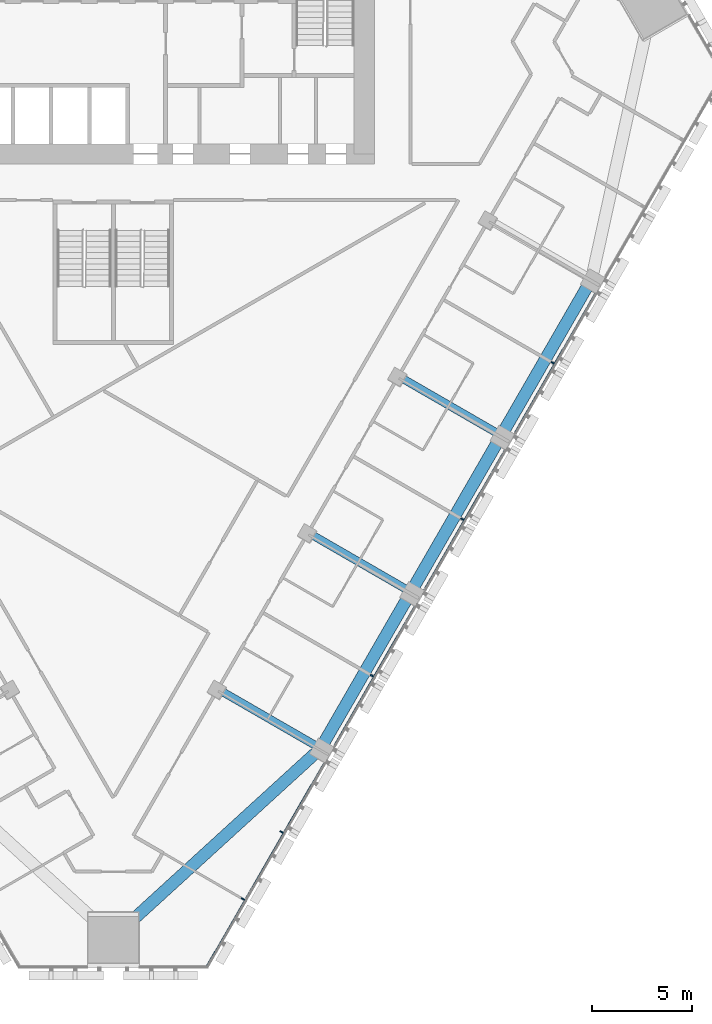
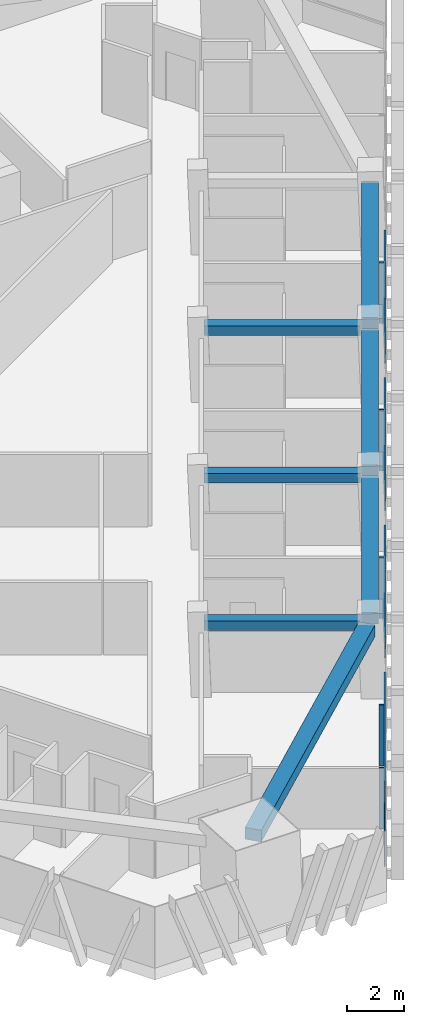
# One storey, part 4 of 17: 9 members, 7 beams, 1 element without a shape of its own.
"""IFC4 building model written with IfcOpenShell, lengths in metres."""

from ifc_helpers import new_model, si_unit, direction, frame, origin, origin_2d, place, context, subcontext, project, spatial, rectangle, extrude, material, layer, layer_set, material_profile, profile_set, type_object, element, aggregate, save


model = new_model("IFC4")

# Units and contexts
model_context = context("Model", 3, precision=1e-05, world=origin(), true_north=direction((0.0, 1.0)))
body_context = subcontext(model_context, "Body", "Model", "MODEL_VIEW")
ifc_project = project(units=[si_unit("LENGTHUNIT", "METRE"), si_unit("AREAUNIT", "SQUARE_METRE"), si_unit("VOLUMEUNIT", "CUBIC_METRE"), si_unit("PLANEANGLEUNIT", "RADIAN"), si_unit("MASSUNIT", "GRAM", prefix="KILO")], contexts=[model_context])

# Site, building, storey
site_placement = place(None, origin())
site = spatial("IfcSite", under=ifc_project, at=site_placement, CompositionType="ELEMENT")
building_placement = place(site_placement, origin())
building = spatial("IfcBuilding", under=site, at=building_placement, Name="Altiplano Prism Tower", CompositionType="ELEMENT")
storey_placement = place(building_placement, frame((0.0, 0.0, 55.800048828125)))
storey = spatial("IfcBuildingStorey", under=building, at=storey_placement, Name="L13", CompositionType="ELEMENT", Elevation=55.800048828125)

# Curtain wall, members
ifc_material_1 = material(Name="Aluminium and glass", Category="aluminium")
ifc_layer = layer(ifc_material_1, 0.280029296875)
ifc_layer_set = layer_set([ifc_layer], Name="Aluminium and glass")
curtain_wall_type = type_object("IfcCurtainWallType", Name="CW1 typical co-living unitised curtain wall", PredefinedType="NOTDEFINED", material=ifc_layer_set)
curtain_wall_placement = place(storey_placement, origin())
curtain_wall = element("IfcCurtainWall", 1, at=curtain_wall_placement, inside=storey, type_object=curtain_wall_type, Name="CW1 curtain wall south-east face L13", PredefinedType="NOTDEFINED")
ifc_material_2 = material(Name="Aluminium", Category="aluminium")
ifc_material_profile_1 = material_profile(ifc_material_2, rectangle(XDim=0.179931640625, YDim=0.06494140625, at=origin_2d()), Name="CW1 mullion 65 x 180")
ifc_profile_set_1 = profile_set([ifc_material_profile_1], Name="Aluminium")
member_type_1 = type_object("IfcMemberType", Name="CW1 mullion 65 x 180", PredefinedType="MULLION", material=ifc_profile_set_1)
member_1_placement = place(storey_placement, frame((91.454833984375, 55.77685546875, 0.0), z_axis=(0.0, 0.0, 1.0), x_axis=(-0.866025408218, 0.499999992322, 0.0)))
member_1 = element("IfcMember", 2, at=member_1_placement, type_object=member_type_1, Name="CW1 mullion", PredefinedType="MULLION", context=body_context, shape_type="SweptSolid", body=[
    extrude(rectangle(XDim=0.179931640625, YDim=0.06494140625, at=origin_2d()), origin(), (0.0, 0.0, 1.0), 2.599853515625),
])
member_2_placement = place(storey_placement, frame((93.382080078125, 59.114990234375, 0.0), z_axis=(0.0, 0.0, 1.0), x_axis=(-0.866025408218, 0.499999992322, 0.0)))
member_2 = element("IfcMember", 3, at=member_2_placement, type_object=member_type_1, Name="CW1 mullion", PredefinedType="MULLION", context=body_context, shape_type="SweptSolid", body=[
    extrude(rectangle(XDim=0.179931640625, YDim=0.06494140625, at=origin_2d()), origin(), (0.0, 0.0, 1.0), 2.599853515625),
])
member_3_placement = place(storey_placement, frame((97.882080078125, 66.9091796875, 0.0), z_axis=(0.0, 0.0, 1.0), x_axis=(-0.866025408218, 0.499999992322, 0.0)))
member_3 = element("IfcMember", 4, at=member_3_placement, type_object=member_type_1, Name="CW1 mullion", PredefinedType="MULLION", context=body_context, shape_type="SweptSolid", body=[
    extrude(rectangle(XDim=0.179931640625, YDim=0.06494140625, at=origin_2d()), origin(), (0.0, 0.0, 1.0), 2.599853515625),
])
member_4_placement = place(storey_placement, frame((102.382080078125, 74.703369140625, 0.0), z_axis=(0.0, 0.0, 1.0), x_axis=(-0.866025408218, 0.499999992322, 0.0)))
member_4 = element("IfcMember", 5, at=member_4_placement, type_object=member_type_1, Name="CW1 mullion", PredefinedType="MULLION", context=body_context, shape_type="SweptSolid", body=[
    extrude(rectangle(XDim=0.179931640625, YDim=0.06494140625, at=origin_2d()), origin(), (0.0, 0.0, 1.0), 2.599853515625),
])
member_5_placement = place(storey_placement, frame((106.882080078125, 82.49755859375, 0.0), z_axis=(0.0, 0.0, 1.0), x_axis=(-0.866025408218, 0.499999992322, 0.0)))
member_5 = element("IfcMember", 6, at=member_5_placement, type_object=member_type_1, Name="CW1 mullion", PredefinedType="MULLION", context=body_context, shape_type="SweptSolid", body=[
    extrude(rectangle(XDim=0.179931640625, YDim=0.06494140625, at=origin_2d()), origin(), (0.0, 0.0, 1.0), 2.599853515625),
])
ifc_material_profile_2 = material_profile(ifc_material_2, rectangle(XDim=0.06005859375, YDim=0.080078125, at=origin_2d()), Name="CW1 transom 80 x 60")
ifc_profile_set_2 = profile_set([ifc_material_profile_2], Name="Aluminium")
member_type_2 = type_object("IfcMemberType", Name="CW1 transom 80 x 60", PredefinedType="USERDEFINED", material=ifc_profile_set_2)
member_6_placement = place(storey_placement, frame((89.631591796875, 52.378662109375, 1.099853515625), z_axis=(0.499995643985, 0.866027918716, 0.0), x_axis=(-0.866027918716, 0.499995643985, 0.0)))
member_6 = element("IfcMember", 7, at=member_6_placement, type_object=member_type_2, Name="CW1 transom", ObjectType="TRANSOM", PredefinedType="USERDEFINED", context=body_context, shape_type="SweptSolid", body=[
    extrude(rectangle(XDim=0.06005859375, YDim=0.080078125, at=origin_2d()), origin(), (0.0, 0.0, 1.0), 11.75830078125),
])
member_7_placement = place(storey_placement, frame((96.000732421875, 63.41064453125, 1.099853515625), z_axis=(0.500012318566, 0.86601829154, 0.0), x_axis=(-0.86601829154, 0.500012318566, 0.0)))
member_7 = element("IfcMember", 8, at=member_7_placement, type_object=member_type_2, Name="CW1 transom", ObjectType="TRANSOM", PredefinedType="USERDEFINED", context=body_context, shape_type="SweptSolid", body=[
    extrude(rectangle(XDim=0.06005859375, YDim=0.080078125, at=origin_2d()), origin(), (0.0, 0.0, 1.0), 8.019775390625),
])
member_8_placement = place(storey_placement, frame((100.500732421875, 71.204833984375, 1.099853515625), z_axis=(0.500012318566, 0.86601829154, 0.0), x_axis=(-0.86601829154, 0.500012318566, 0.0)))
member_8 = element("IfcMember", 9, at=member_8_placement, type_object=member_type_2, Name="CW1 transom", ObjectType="TRANSOM", PredefinedType="USERDEFINED", context=body_context, shape_type="SweptSolid", body=[
    extrude(rectangle(XDim=0.06005859375, YDim=0.080078125, at=origin_2d()), origin(), (0.0, 0.0, 1.0), 8.019775390625),
])
member_9_placement = place(storey_placement, frame((105.000732421875, 78.9990234375, 1.099853515625), z_axis=(0.500012318566, 0.86601829154, 0.0), x_axis=(-0.86601829154, 0.500012318566, 0.0)))
member_9 = element("IfcMember", 10, at=member_9_placement, type_object=member_type_2, Name="CW1 transom", ObjectType="TRANSOM", PredefinedType="USERDEFINED", context=body_context, shape_type="SweptSolid", body=[
    extrude(rectangle(XDim=0.06005859375, YDim=0.080078125, at=origin_2d()), origin(), (0.0, 0.0, 1.0), 8.019775390625),
])
aggregate(curtain_wall, [member_1, member_2, member_6, member_3, member_7, member_4, member_8, member_5, member_9])

# Beams
ifc_material_3 = material(Name="Concrete C60/75", Category="concrete")
ifc_material_profile_3 = material_profile(ifc_material_3, rectangle(XDim=0.60009765625, YDim=0.5, at=origin_2d()), Name="Edge beam 600x500")
ifc_profile_set_3 = profile_set([ifc_material_profile_3], Name="Concrete C60/75")
beam_type_1 = type_object("IfcBeamType", Name="Edge beam 600x500", PredefinedType="SPANDREL", material=ifc_profile_set_3)
beam_placement = place(storey_placement, frame((85.332275390625, 54.157470703125, 2.849853515625), z_axis=(0.738575716326, 0.674170535736, 0.0), x_axis=(-0.674170535736, 0.738575716326, 0.0)))
element("IfcBeam", 11, at=beam_placement, inside=storey, type_object=beam_type_1, Name="Edge beam M1-P21 L14", PredefinedType="SPANDREL", context=body_context, shape_type="SweptSolid", body=[
    extrude(rectangle(XDim=0.60009765625, YDim=0.5, at=origin_2d()), origin(), (0.0, 0.0, 1.0), 13.18017578125),
])
for number, where, z_axis, x_axis, name in (
    (12, (95.491943359375, 63.56640625, 2.849853515625), (0.499992746786, 0.866029591389, 0.0), (-0.866029591389, 0.499992746786, 0.0), "Edge beam P21-P22 L14"),
    (13, (99.991943359375, 71.360595703125, 2.849853515625), (0.499992746786, 0.866029591389, 0.0), (-0.866029591389, 0.499992746786, 0.0), "Edge beam P22-P23 L14"),
    (14, (104.491943359375, 79.15478515625, 2.849853515625), (0.499992746786, 0.866029591389, 0.0), (-0.866029591389, 0.499992746786, 0.0), "Edge beam P23-P24 L14"),
):
    element("IfcBeam", number, at=place(storey_placement, frame(where, z_axis=z_axis, x_axis=x_axis)), inside=storey, type_object=beam_type_1, Name=name, PredefinedType="SPANDREL", context=body_context, shape_type="SweptSolid", body=[
        extrude(rectangle(XDim=0.60009765625, YDim=0.5, at=origin_2d()), origin(), (0.0, 0.0, 1.0), 8.33984375),
    ])
ifc_material_profile_4 = material_profile(ifc_material_3, rectangle(XDim=0.39990234375, YDim=0.39990234375, at=origin_2d()), Name="Tie beam 400x400")
ifc_profile_set_4 = profile_set([ifc_material_profile_4], Name="Concrete C60/75")
beam_type_2 = type_object("IfcBeamType", Name="Tie beam 400x400", PredefinedType="BEAM", material=ifc_profile_set_4)
for number, where, z_axis, x_axis, name in (
    (15, (90.28662109375, 66.190673828125, 2.89990234375), (0.866012292785, -0.50002270823, 0.0), (0.50002270823, 0.866012292785, 0.0), "Tie beam I21 L14"),
    (16, (94.78662109375, 73.98486328125, 2.89990234375), (0.866012292785, -0.50002270823, 0.0), (0.50002270823, 0.866012292785, 0.0), "Tie beam I22 L14"),
    (17, (99.28662109375, 81.779052734375, 2.89990234375), (0.866012292785, -0.50002270823, 0.0), (0.50002270823, 0.866012292785, 0.0), "Tie beam I23 L14"),
):
    element("IfcBeam", number, at=place(storey_placement, frame(where, z_axis=z_axis, x_axis=x_axis)), inside=storey, type_object=beam_type_2, Name=name, PredefinedType="BEAM", context=body_context, shape_type="SweptSolid", body=[
        extrude(rectangle(XDim=0.39990234375, YDim=0.39990234375, at=origin_2d()), origin(), (0.0, 0.0, 1.0), 5.489990234375),
    ])

save(model, "model.ifc")
